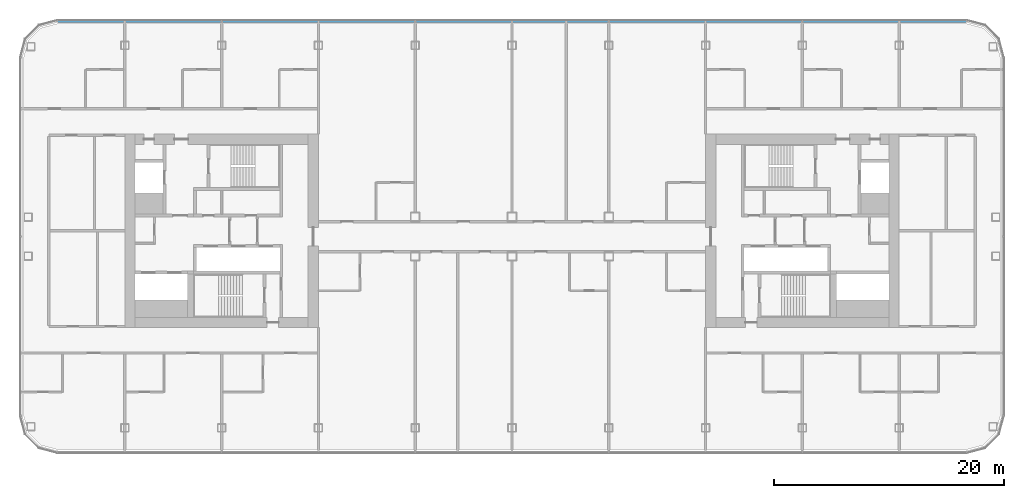
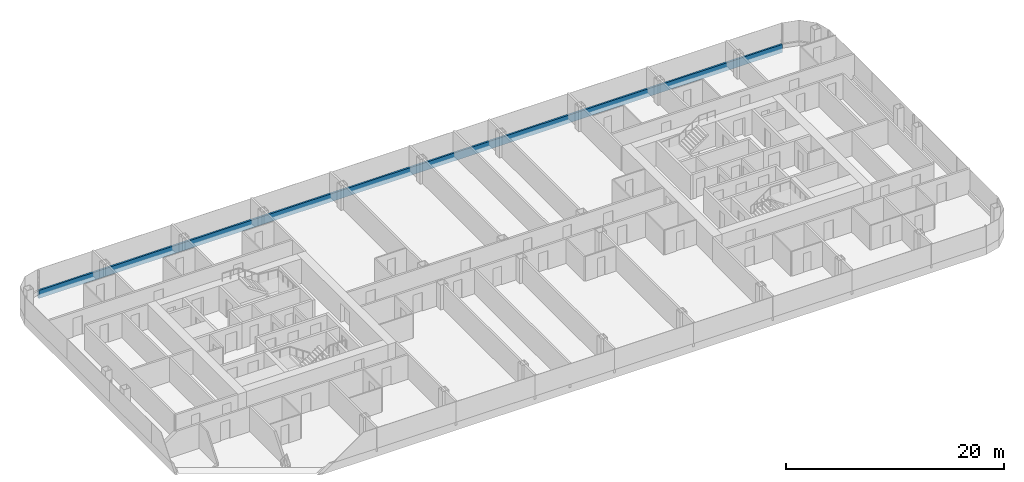
# One storey, part 7 of 25: 1 member, 1 element without a shape of its own.
"""IFC4 building model written with IfcOpenShell, lengths in metres."""

from ifc_helpers import new_model, si_unit, direction, frame, origin, origin_2d, place, context, subcontext, project, spatial, rectangle, extrude, material, layer, layer_set, material_profile, profile_set, type_object, element, aggregate, save


model = new_model("IFC4")

# Units and contexts
model_context = context("Model", 3, precision=1e-05, world=origin(), true_north=direction((0.0, 1.0)))
body_context = subcontext(model_context, "Body", "Model", "MODEL_VIEW")
ifc_project = project(units=[si_unit("LENGTHUNIT", "METRE"), si_unit("AREAUNIT", "SQUARE_METRE"), si_unit("VOLUMEUNIT", "CUBIC_METRE"), si_unit("PLANEANGLEUNIT", "RADIAN"), si_unit("MASSUNIT", "GRAM", prefix="KILO")], contexts=[model_context])

# Site, building, storey
site_placement = place(None, origin())
site = spatial("IfcSite", under=ifc_project, at=site_placement, CompositionType="ELEMENT")
building_placement = place(site_placement, origin())
building = spatial("IfcBuilding", under=site, at=building_placement, Name="Hakoniwa Tower and Hamabe Station Hall", CompositionType="ELEMENT")
storey_placement = place(building_placement, frame((0.0, 0.0, 147.0)))
storey = spatial("IfcBuildingStorey", under=building, at=storey_placement, Name="L41", CompositionType="ELEMENT", Elevation=147.0)

# Curtain wall, member
ifc_material_1 = material(Name="Dark low-e laminated glass", Category="glass")
ifc_layer = layer(ifc_material_1, 0.199951171875)
ifc_layer_set = layer_set([ifc_layer], Name="CW-1 UNITISED GUEST")
curtain_wall_type = type_object("IfcCurtainWallType", Name="CW-1 UNITISED GUEST", PredefinedType="NOTDEFINED", material=ifc_layer_set)
curtain_wall_placement = place(storey_placement, origin())
curtain_wall = element("IfcCurtainWall", 1, at=curtain_wall_placement, inside=storey, type_object=curtain_wall_type, Name="CW-1 curtain wall", PredefinedType="NOTDEFINED")
ifc_material_2 = material(Name="Aluminium 6063-T5 black anodised", Category="aluminium")
ifc_material_profile = material_profile(ifc_material_2, rectangle(XDim=0.199951171875, YDim=0.89990234375, at=origin_2d()), Name="CW SLAB-EDGE BAND 900X200")
ifc_profile_set = profile_set([ifc_material_profile], Name="Aluminium 6063-T5 black anodised")
member_type = type_object("IfcMemberType", Name="CW SLAB-EDGE BAND 900X200", PredefinedType="USERDEFINED", material=ifc_profile_set)
member_placement = place(storey_placement, frame((39.439453125, 18.199951171875, -0.10009765625), z_axis=(-1.0, 0.0, 0.0), x_axis=(0.0, -1.0, 0.0)))
member = element("IfcMember", 2, at=member_placement, type_object=member_type, Name="CW-1 transom", ObjectType="TRANSOM", PredefinedType="USERDEFINED", context=body_context, shape_type="SweptSolid", body=[
    extrude(rectangle(XDim=0.199951171875, YDim=0.89990234375, at=origin_2d()), origin(), (0.0, 0.0, 1.0), 78.87890625),
])
aggregate(curtain_wall, [member])

save(model, "model.ifc")
